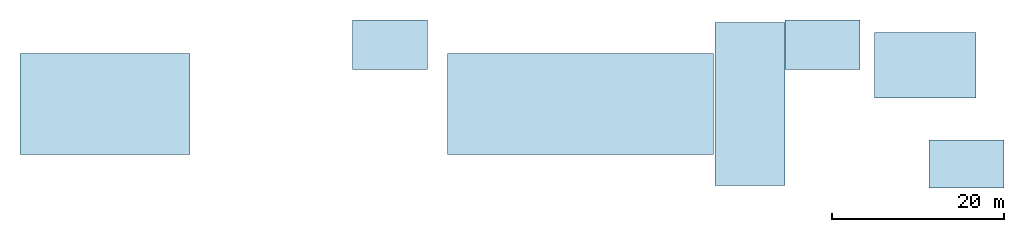
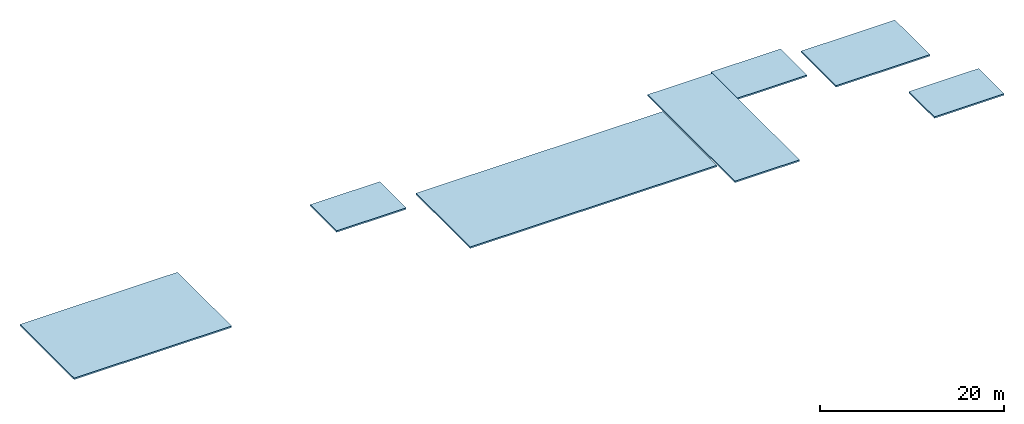
# One storey: 7 slabs.
"""IFC4 building model written with IfcOpenShell, lengths in metres."""

from ifc_helpers import new_model, si_unit, direction, frame, origin, place, context, subcontext, project, spatial, polyline, outline, extrude, material, layer, layer_set, type_object, element, save


model = new_model("IFC4")

# Units and contexts
model_context = context("Model", 3, precision=1e-05, world=origin(), true_north=direction((0.0, 1.0)))
body_context = subcontext(model_context, "Body", "Model", "MODEL_VIEW")
ifc_project = project(units=[si_unit("LENGTHUNIT", "METRE"), si_unit("AREAUNIT", "SQUARE_METRE"), si_unit("VOLUMEUNIT", "CUBIC_METRE"), si_unit("PLANEANGLEUNIT", "RADIAN"), si_unit("MASSUNIT", "GRAM", prefix="KILO")], contexts=[model_context])

# Site, building, storey
site_placement = place(None, origin())
site = spatial("IfcSite", under=ifc_project, at=site_placement, CompositionType="ELEMENT")
building_placement = place(site_placement, origin())
building = spatial("IfcBuilding", under=site, at=building_placement, Name="Bougainvillea Quay General Hospital", CompositionType="ELEMENT")
storey_placement = place(building_placement, frame((0.0, 0.0, 40.800048828125)))
storey = spatial("IfcBuildingStorey", under=building, at=storey_placement, Name="ROOF HEAD", CompositionType="ELEMENT", Elevation=40.800048828125)

# Slabs
ifc_material_1 = material(Name="Concrete C35, cast in situ", Category="concrete")
ifc_layer_1 = layer(ifc_material_1, 0.199951171875)
ifc_layer_set_1 = layer_set([ifc_layer_1], Name="Concrete C35, cast in situ")
slab_type_1 = type_object("IfcSlabType", Name="Lift overrun roof slab RC 200", PredefinedType="ROOF", material=ifc_layer_set_1)
slab_1_placement = place(storey_placement, frame((0.0, 0.0, -0.199951171875)))
element("IfcSlab", 1, at=slab_1_placement, inside=storey, type_object=slab_type_1, Name="Lift overrun slab 0", PredefinedType="ROOF", context=body_context, shape_type="SweptSolid", body=[
    extrude(outline(polyline([(94.900390625, 144.1005859375), (125.8994140625, 144.1005859375), (125.8994140625, 155.8994140625), (94.900390625, 155.8994140625), (94.900390625, 144.1005859375)])), origin(), (0.0, 0.0, 1.0), 0.199951171875),
])
slab_2_placement = place(storey_placement, frame((0.0, 0.0, -0.199951171875)))
element("IfcSlab", 2, at=slab_2_placement, inside=storey, type_object=slab_type_1, Name="Lift overrun slab 0", PredefinedType="ROOF", context=body_context, shape_type="SweptSolid", body=[
    extrude(outline(polyline([(45.1005859375, 144.1005859375), (64.8994140625, 144.1005859375), (64.8994140625, 155.8994140625), (45.1005859375, 155.8994140625), (45.1005859375, 144.1005859375)])), origin(), (0.0, 0.0, 1.0), 0.199951171875),
])
slab_3_placement = place(storey_placement, frame((0.0, 0.0, -0.199951171875)))
element("IfcSlab", 3, at=slab_3_placement, inside=storey, type_object=slab_type_1, Name="Lift overrun slab 0", PredefinedType="ROOF", context=body_context, shape_type="SweptSolid", body=[
    extrude(outline(polyline([(144.700439453125, 150.700439453125), (156.49951171875, 150.700439453125), (156.49951171875, 158.299560546875), (144.700439453125, 158.299560546875), (144.700439453125, 150.700439453125)])), origin(), (0.0, 0.0, 1.0), 0.199951171875),
])
slab_4_placement = place(storey_placement, frame((0.0, 0.0, -0.199951171875)))
element("IfcSlab", 4, at=slab_4_placement, inside=storey, type_object=slab_type_1, Name="Lift overrun slab 0", PredefinedType="ROOF", context=body_context, shape_type="SweptSolid", body=[
    extrude(outline(polyline([(126.1005859375, 140.50048828125), (134.224609375, 140.50048828125), (134.224609375, 159.49951171875), (126.1005859375, 159.49951171875), (126.1005859375, 140.50048828125)])), origin(), (0.0, 0.0, 1.0), 0.199951171875),
])
ifc_material_2 = material(Name="Concrete C35", Category="concrete")
ifc_layer_2 = layer(ifc_material_2, 0.199951171875)
ifc_layer_set_2 = layer_set([ifc_layer_2], Name="Concrete C35")
slab_type_2 = type_object("IfcSlabType", Name="RC FLAT SLAB 200 C35 ROOF", PredefinedType="ROOF", material=ifc_layer_set_2)
slab_5_placement = place(storey_placement, frame((0.0, 0.0, -0.199951171875)))
element("IfcSlab", 5, at=slab_5_placement, inside=storey, type_object=slab_type_2, Name="Slab S10 ROOF HEAD", PredefinedType="ROOF", context=body_context, shape_type="SweptSolid", body=[
    extrude(outline(polyline([(151.02490234375, 145.77490234375), (151.02490234375, 140.22509765625), (159.77490234375, 140.22509765625), (159.77490234375, 145.77490234375), (151.02490234375, 145.77490234375)])), origin(), (0.0, 0.0, 1.0), 0.199951171875),
])
slab_6_placement = place(storey_placement, frame((0.0, 0.0, -0.199951171875)))
element("IfcSlab", 6, at=slab_6_placement, inside=storey, type_object=slab_type_2, Name="Slab S10 ROOF HEAD", PredefinedType="ROOF", context=body_context, shape_type="SweptSolid", body=[
    extrude(outline(polyline([(142.97509765625, 159.77490234375), (134.22509765625, 159.77490234375), (134.22509765625, 154.02490234375), (142.97509765625, 154.02490234375), (142.97509765625, 159.77490234375)])), origin(), (0.0, 0.0, 1.0), 0.199951171875),
])
slab_7_placement = place(storey_placement, frame((0.0, 0.0, -0.199951171875)))
element("IfcSlab", 7, at=slab_7_placement, inside=storey, type_object=slab_type_2, Name="Slab S10 ROOF HEAD", PredefinedType="ROOF", context=body_context, shape_type="SweptSolid", body=[
    extrude(outline(polyline([(92.574951171875, 159.77490234375), (83.824951171875, 159.77490234375), (83.824951171875, 154.02490234375), (92.574951171875, 154.02490234375), (92.574951171875, 159.77490234375)])), origin(), (0.0, 0.0, 1.0), 0.199951171875),
])

save(model, "model.ifc")
